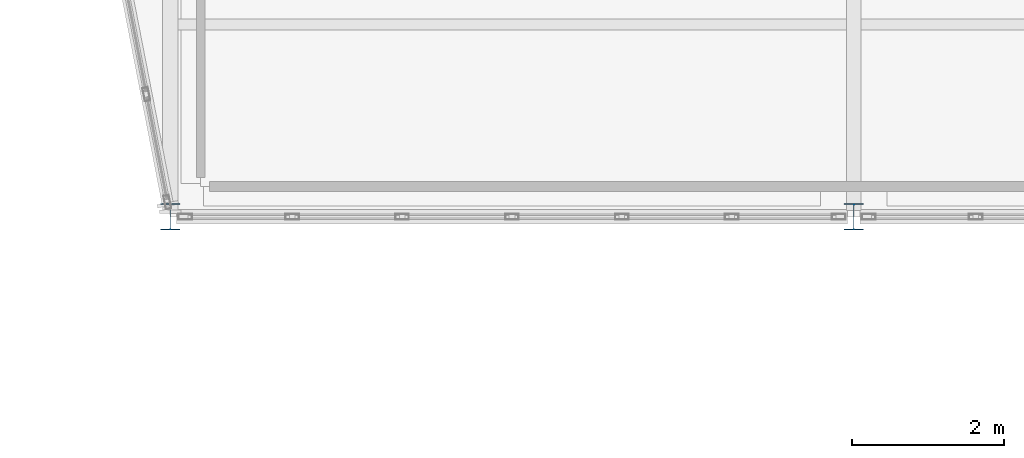
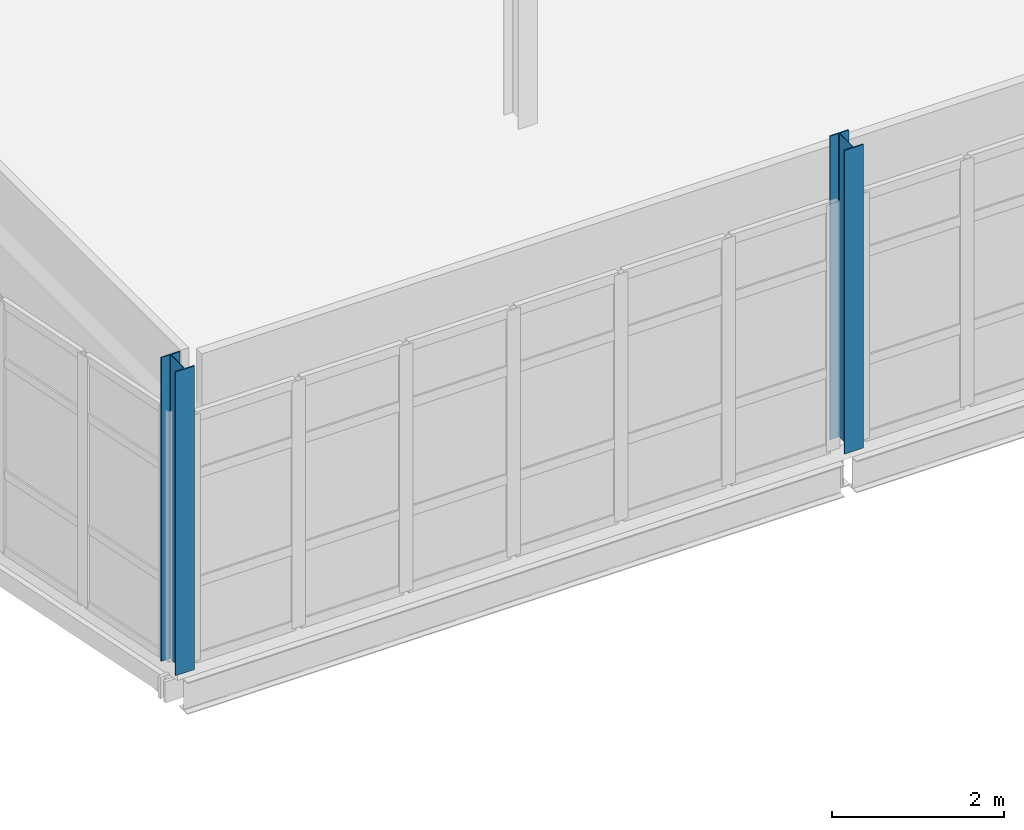
# One storey, part 13 of 174: 2 columns.
"""IFC4 building model written with IfcOpenShell, lengths in metres."""

from ifc_helpers import new_model, si_unit, direction, frame, origin, origin_2d, place, context, subcontext, project, spatial, i_section, extrude, material, material_profile, profile_set, type_object, element, save


model = new_model("IFC4")

# Units and contexts
model_context = context("Model", 3, precision=1e-05, world=origin(), true_north=direction((0.0, 1.0)))
body_context = subcontext(model_context, "Body", "Model", "MODEL_VIEW")
ifc_project = project(units=[si_unit("LENGTHUNIT", "METRE"), si_unit("AREAUNIT", "SQUARE_METRE"), si_unit("VOLUMEUNIT", "CUBIC_METRE"), si_unit("PLANEANGLEUNIT", "RADIAN"), si_unit("MASSUNIT", "GRAM", prefix="KILO")], contexts=[model_context])

# Site, building, storey
site_placement = place(None, origin())
site = spatial("IfcSite", under=ifc_project, at=site_placement, CompositionType="ELEMENT")
building_placement = place(site_placement, origin())
building = spatial("IfcBuilding", under=site, at=building_placement, Name="Caisbarro Railhouse Central Library", CompositionType="ELEMENT")
storey_placement = place(building_placement, frame((0.0, 0.0, 5.0400390625)))
storey = spatial("IfcBuildingStorey", under=building, at=storey_placement, Name="L01", CompositionType="ELEMENT", Elevation=5.0400390625)

# Columns
ifc_material = material(Name="Steel ASTM A572 Grade 50", Category="steel")
ifc_material_profile = material_profile(ifc_material, i_section(OverallWidth=0.25390625, OverallDepth=0.35302734375, WebThickness=0.009521484375, FlangeThickness=0.016357421875, FilletRadius=0.014892578125, at=origin_2d()), Name="W360X91.0")
ifc_profile_set = profile_set([ifc_material_profile], Name="Steel ASTM A572 Grade 50")
column_type = type_object("IfcColumnType", Name="COL-C05", PredefinedType="COLUMN", material=ifc_profile_set)
for number, where, z_axis, x_axis, name in (
    (1, (117.0, 60.800048828125, 0.0), (0.0, 0.0, 1.0), (1.0, 0.0, 0.0), "C05 column L01 (117.0,60.8)"),
    (2, (126.0, 60.800048828125, 0.0), (0.0, 0.0, 1.0), (1.0, 0.0, 0.0), "C05 column L01 (126.0,60.8)"),
):
    element("IfcColumn", number, at=place(storey_placement, frame(where, z_axis=z_axis, x_axis=x_axis)), inside=storey, type_object=column_type, Name=name, PredefinedType="COLUMN", context=body_context, shape_type="SweptSolid", body=[
        extrude(i_section(OverallWidth=0.25390625, OverallDepth=0.35302734375, WebThickness=0.009521484375, FlangeThickness=0.016357421875, FilletRadius=0.014892578125, at=origin_2d()), origin(), (0.0, 0.0, 1.0), 4.320068359375),
    ])

save(model, "model.ifc")
